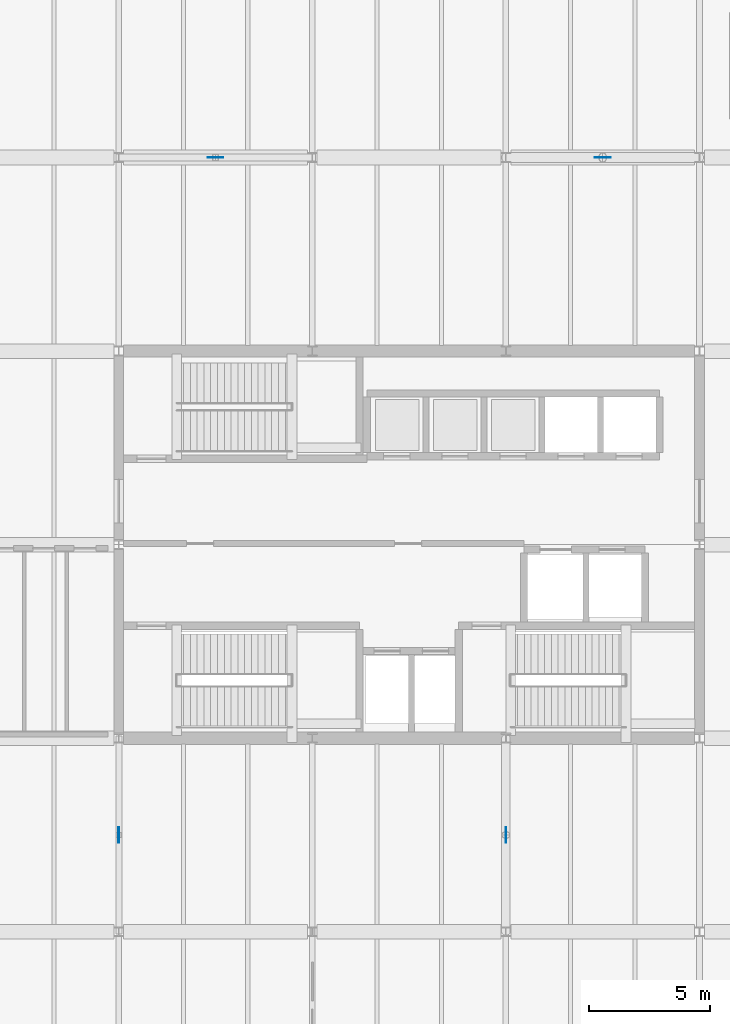
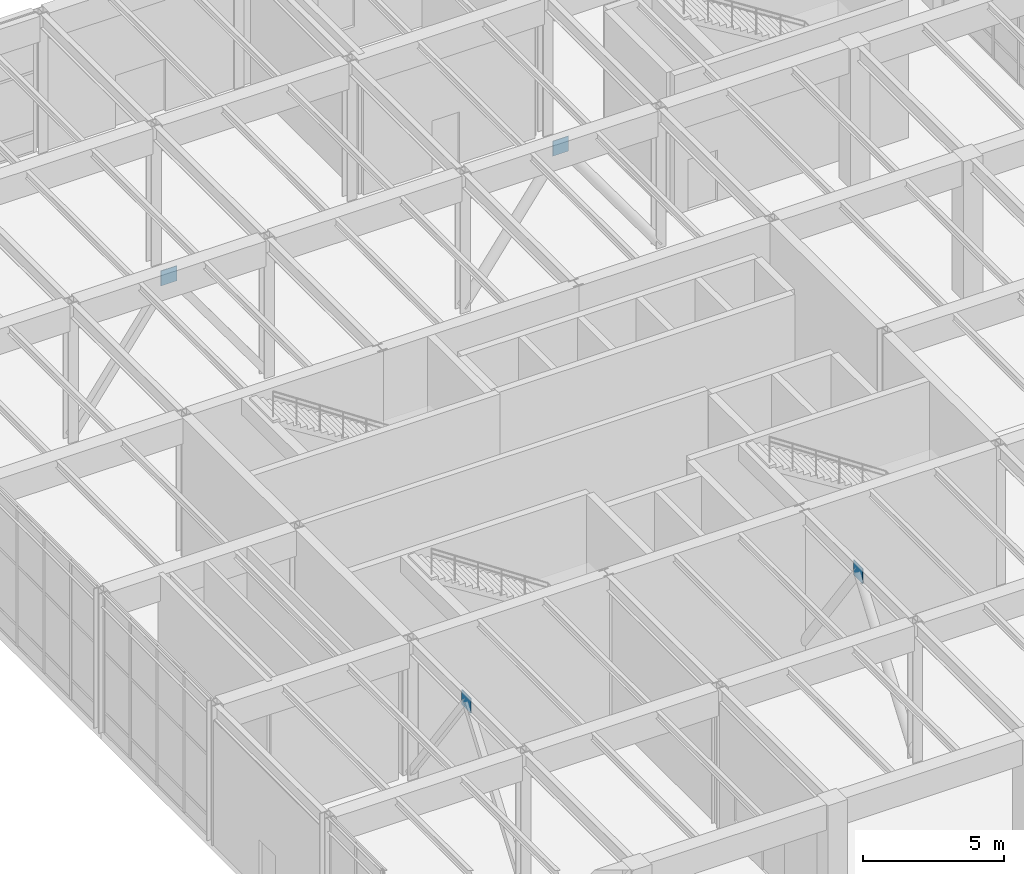
# One storey, part 31 of 51: 4 plates.
"""IFC4 building model written with IfcOpenShell, lengths in metres."""

import ifcopenshell
import ifcopenshell.guid

model = None  # the IFC model being written
_history = None  # IfcOwnerHistory: only IFC2X3 demands one
_inside = {}  # id of a spatial element -> (the spatial element, [elements in it])
_under = {}  # id of a project, library or spatial element -> (it, [spatial elements below it])
_declared = {}  # id of a project -> (the project, [libraries it declares])
_typed = {}  # id of a type object -> (the type object, [elements of that type])
_made_of = {}  # id of a material, layer set ... -> (it, [elements and type objects made of it])


def new_model(schema):
    """Start an empty IFC model of exactly this schema.

    Asked for "IFC4X3", IfcOpenShell would pick the latest addendum, in which some entities
    have other attributes; the version numbers below select the first issue.
    IFC2X3 requires an IfcOwnerHistory on every rooted entity: one is made here for all.
    """
    global model, _history
    if schema == "IFC4X3":
        model = ifcopenshell.file(schema_version=(4, 3, 0, 0))
    else:
        model = ifcopenshell.file(schema=schema)
    _inside.clear()
    _under.clear()
    _declared.clear()
    _typed.clear()
    _made_of.clear()
    _history = None
    if model.schema == "IFC2X3":
        org = make("IfcOrganization", Name="unknown")
        user = make(
            "IfcPersonAndOrganization",
            ThePerson=make("IfcPerson", FamilyName="unknown"),
            TheOrganization=org,
        )
        app = make(
            "IfcApplication",
            ApplicationDeveloper=org,
            Version="unknown",
            ApplicationFullName="unknown",
            ApplicationIdentifier="unknown",
        )
        _history = make(
            "IfcOwnerHistory",
            OwningUser=user,
            OwningApplication=app,
            ChangeAction="ADDED",
            CreationDate=0,
        )
    return model


def make(cls, **values):
    """One entity of the class cls with the attributes given. An attribute that is None is left unset."""
    return model.create_entity(
        cls, **{name: value for name, value in values.items() if value is not None}
    )


def rooted(cls, **values):
    """An entity with a GlobalId (a new one), such as an element, a storey or a relation."""
    return make(cls, GlobalId=ifcopenshell.guid.new(), OwnerHistory=_history, **values)


def si_unit(unit_type, name, prefix=None):
    """IfcSIUnit, for example si_unit("LENGTHUNIT", "METRE", prefix="MILLI")."""
    return make("IfcSIUnit", UnitType=unit_type, Prefix=prefix, Name=name)


def assignment(units):
    """IfcUnitAssignment: the units of a project."""
    return None if units is None else make("IfcUnitAssignment", Units=units)


def point(xyz):
    """IfcCartesianPoint."""
    return None if xyz is None else make("IfcCartesianPoint", Coordinates=xyz)


def direction(xyz):
    """IfcDirection."""
    return None if xyz is None else make("IfcDirection", DirectionRatios=xyz)


def frame(location, z_axis=None, x_axis=None):
    """IfcAxis2Placement3D, a coordinate frame: its origin and axes. An axis left out is left unset."""
    return make(
        "IfcAxis2Placement3D",
        Location=point(location),
        Axis=direction(z_axis),
        RefDirection=direction(x_axis),
    )


def frame_2d(location, x_axis=None):
    """IfcAxis2Placement2D, a coordinate frame in the plane: its origin and x axis."""
    return make(
        "IfcAxis2Placement2D", Location=point(location), RefDirection=direction(x_axis)
    )


def origin():
    """The frame at (0, 0, 0) with its axes left unset."""
    return frame((0.0, 0.0, 0.0))


def origin_2d():
    """The frame at (0, 0) in the plane with its x axis left unset."""
    return frame_2d((0.0, 0.0))


def place(relative_to, where):
    """IfcLocalPlacement: puts the frame where relative to a parent placement (None: the world)."""
    return make(
        "IfcLocalPlacement", PlacementRelTo=relative_to, RelativePlacement=where
    )


def context(
    kind, dimensions, precision=None, world=None, true_north=None, identifier=None
):
    """IfcGeometricRepresentationContext, for example the 3D "Model" context."""
    return make(
        "IfcGeometricRepresentationContext",
        ContextIdentifier=identifier,
        ContextType=kind,
        CoordinateSpaceDimension=dimensions,
        Precision=precision,
        WorldCoordinateSystem=world,
        TrueNorth=true_north,
    )


def subcontext(parent, identifier, kind, view, scale=None):
    """IfcGeometricRepresentationSubContext, for example "Body" below "Model"."""
    return make(
        "IfcGeometricRepresentationSubContext",
        ContextIdentifier=identifier,
        ContextType=kind,
        ParentContext=parent,
        TargetScale=scale,
        TargetView=view,
    )


def project(units=None, contexts=None):
    """IfcProject with its units and contexts."""
    return rooted(
        "IfcProject",
        Name="project",
        RepresentationContexts=contexts,
        UnitsInContext=assignment(units),
    )


def spatial(cls, under=None, at=None, **own):
    """A site, building, storey or space (cls), placed at a placement, below another one or the project."""
    s = rooted(cls, ObjectPlacement=at, **own)
    if under is not None:
        _under.setdefault(under.id(), (under, []))[1].append(s)
    return s


def profile(cls, at=None, kind="AREA", **sizes):
    """A parametric profile (cls). Its sizes go by their IFC names, for example OverallWidth=200.0."""
    return make(cls, ProfileType=kind, Position=at, **sizes)


def rectangle(**sizes):
    """IfcRectangleProfileDef."""
    return profile("IfcRectangleProfileDef", **sizes)


def extrude(swept, where, along, depth):
    """IfcExtrudedAreaSolid: the profile swept, set in the frame where, extruded along a direction by depth."""
    return make(
        "IfcExtrudedAreaSolid",
        SweptArea=swept,
        Position=where,
        ExtrudedDirection=direction(along),
        Depth=depth,
    )


def shape(context_of_items, identifier, shape_type, items):
    """IfcShapeRepresentation: the items that make up one representation, for example the "Body"."""
    return make(
        "IfcShapeRepresentation",
        ContextOfItems=context_of_items,
        RepresentationIdentifier=identifier,
        RepresentationType=shape_type,
        Items=items,
    )


def material(Name=None, Category=None):
    """IfcMaterial."""
    return make("IfcMaterial", Name=Name, Category=Category)


def layer(
    of_material, thickness, ventilated=None, Name=None, Category=None, Priority=None
):
    """IfcMaterialLayer: one layer of a wall or slab, of a material (None: an air gap)."""
    return make(
        "IfcMaterialLayer",
        Material=of_material,
        LayerThickness=thickness,
        IsVentilated=ventilated,
        Name=Name,
        Category=Category,
        Priority=Priority,
    )


def layer_set(layers, Name=None):
    """IfcMaterialLayerSet."""
    return make("IfcMaterialLayerSet", MaterialLayers=layers, LayerSetName=Name)


def made_of(thing, what):
    """Note that an element or type object is made of a material, layer set ...; save() writes the relation."""
    if what is not None:
        _made_of.setdefault(what.id(), (what, []))[1].append(thing)
    return thing


def type_object(cls, material=None, **own):
    """A type object (cls), such as IfcWallType, which elements share."""
    return made_of(rooted(cls, **own), material)


def element(
    cls,
    number,
    at=None,
    inside=None,
    cuts=None,
    type_object=None,
    material=None,
    context=None,
    identifier="Body",
    shape_type=None,
    held_by="IfcProductDefinitionShape",
    body=None,
    shapes=None,
    **own,
):
    """One element of the class cls, such as IfcWall. Its Tag is "e" and its number.

    at: its placement. inside: the storey or other place that contains it. cuts: it is an
    opening in that element (IfcRelVoidsElement). A single representation is given by context,
    identifier, shape_type and body (its items); several are given by shapes. held_by: the class
    of the entity that holds the representations. save() writes the other relations.
    """
    e = rooted(cls, Tag="e%d" % number, ObjectPlacement=at, **own)
    if body is not None:
        shapes = [shape(context, identifier, shape_type, body)]
    if shapes is not None:
        e.Representation = make(held_by, Representations=shapes)
    if inside is not None:
        _inside.setdefault(inside.id(), (inside, []))[1].append(e)
    if cuts is not None:
        rooted(
            "IfcRelVoidsElement", RelatingBuildingElement=cuts, RelatedOpeningElement=e
        )
    if type_object is not None:
        _typed.setdefault(type_object.id(), (type_object, []))[1].append(e)
    return made_of(e, material)


def aggregate(whole, parts):
    """IfcRelAggregates: a whole, such as a stair, and the parts it consists of."""
    return rooted("IfcRelAggregates", RelatingObject=whole, RelatedObjects=parts)


def save(model, path):
    """Write the relations noted so far, then the file.

    IfcRelAggregates (storeys below a building ...), IfcRelContainedInSpatialStructure (elements
    in a storey), IfcRelDefinesByType, IfcRelAssociatesMaterial and IfcRelDeclares: one each for
    every whole, place, type object, material and project.
    """
    for whole, parts in _under.values():
        aggregate(whole, parts)
    for where, things in _inside.values():
        rooted(
            "IfcRelContainedInSpatialStructure",
            RelatedElements=things,
            RelatingStructure=where,
        )
    for kind, things in _typed.values():
        rooted("IfcRelDefinesByType", RelatedObjects=things, RelatingType=kind)
    for what, things in _made_of.values():
        rooted("IfcRelAssociatesMaterial", RelatedObjects=things, RelatingMaterial=what)
    for by, libraries in _declared.values():
        rooted("IfcRelDeclares", RelatingContext=by, RelatedDefinitions=libraries)
    model.write(path)


model = new_model("IFC4")

# Units and contexts
model_context = context("Model", 3, precision=1e-05, world=origin(), true_north=direction((0.0, 1.0)))
body_context = subcontext(model_context, "Body", "Model", "MODEL_VIEW")
ifc_project = project(units=[si_unit("LENGTHUNIT", "METRE"), si_unit("AREAUNIT", "SQUARE_METRE"), si_unit("VOLUMEUNIT", "CUBIC_METRE"), si_unit("PLANEANGLEUNIT", "RADIAN"), si_unit("MASSUNIT", "GRAM", prefix="KILO")], contexts=[model_context])

# Site, building, storey
site_placement = place(None, origin())
site = spatial("IfcSite", under=ifc_project, at=site_placement, CompositionType="ELEMENT")
building_placement = place(site_placement, origin())
building = spatial("IfcBuilding", under=site, at=building_placement, Name="Varnela Railside Interchange", CompositionType="ELEMENT")
storey_placement = place(building_placement, origin())
storey = spatial("IfcBuildingStorey", under=building, at=storey_placement, Name="L00", CompositionType="ELEMENT", Elevation=0.0)

# Plates
ifc_material = material(Name="Steel AR 350 (350 MPa)", Category="steel")
ifc_layer = layer(ifc_material, 0.64990234375)
ifc_layer_set = layer_set([ifc_layer], Name="Steel AR 350 (350 MPa)")
plate_type = type_object("IfcPlateType", Name="Brace Gusset Plate GP-01", PredefinedType="SHEET", material=ifc_layer_set)
for number, where, z_axis, x_axis, name in (
    (1, (16.0, 78.0, 5.344970703125), (0.0, 0.0, 1.0), (1.0, 0.0, 0.0), "Brace Gusset Plate GP-01 (L00) (PL-001)"),
    (2, (32.0, 78.0, 5.344970703125), (0.0, 0.0, 1.0), (1.0, 0.0, 0.0), "Brace Gusset Plate GP-01 (L00) (PL-002)"),
    (3, (12.0, 50.0, 5.344970703125), (0.0, 0.0, 1.0), (0.0, 1.0, 0.0), "Brace Gusset Plate GP-01 (L00) (PL-003)"),
    (4, (28.0, 50.0, 5.344970703125), (0.0, 0.0, 1.0), (0.0, 1.0, 0.0), "Brace Gusset Plate GP-01 (L00) (PL-004)"),
):
    element("IfcPlate", number, at=place(storey_placement, frame(where, z_axis=z_axis, x_axis=x_axis)), inside=storey, type_object=plate_type, Name=name, PredefinedType="SHEET", context=body_context, shape_type="SweptSolid", body=[
        extrude(rectangle(XDim=0.64990234375, YDim=0.030029296875, at=origin_2d()), origin(), (0.0, 0.0, 1.0), 0.64990234375),
    ])

save(model, "model.ifc")
